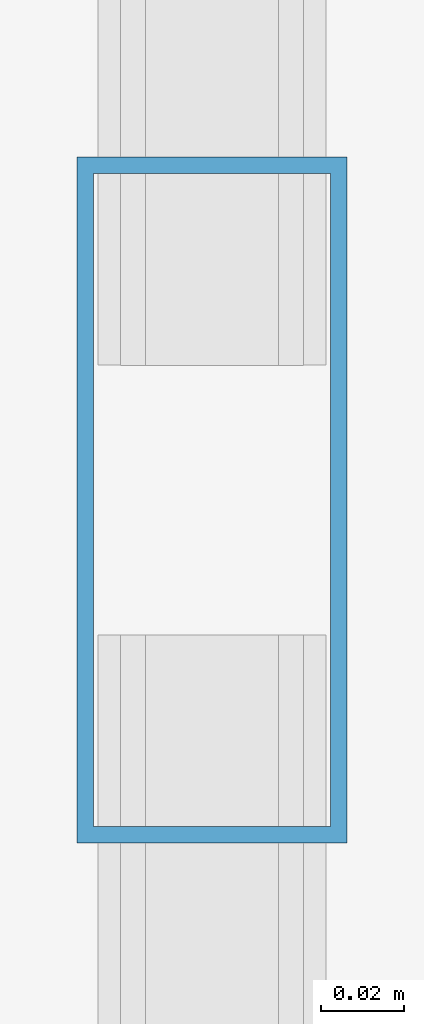
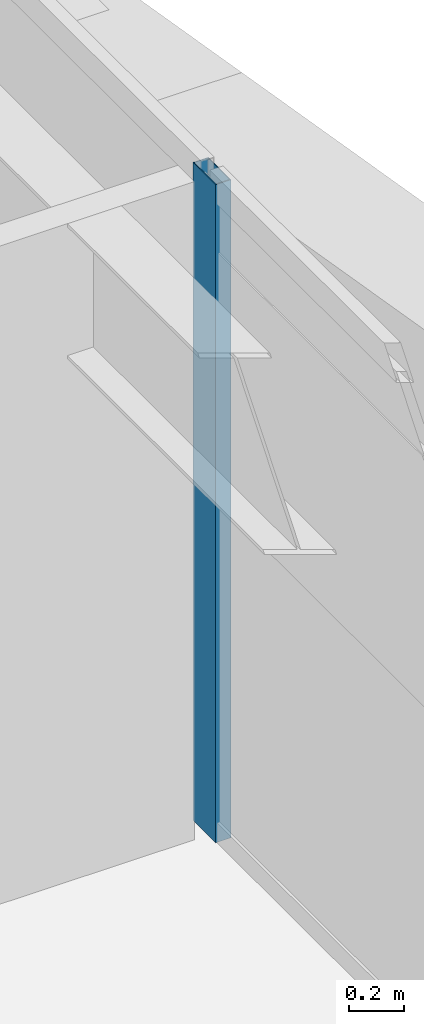
# One storey, part 19 of 44: 1 member, 1 element without a shape of its own.
"""IFC4 building model written with IfcOpenShell, lengths in metres."""

from ifc_helpers import new_model, si_unit, direction, frame, origin, origin_2d, place, context, subcontext, project, spatial, hollow_rectangle, extrude, source, transform, mapped, material, layer, layer_set, material_profile, profile_set, type_object, element, aggregate, save


model = new_model("IFC4")

# Units and contexts
model_context = context("Model", 3, precision=1e-05, world=origin(), true_north=direction((0.0, 1.0)))
body_context = subcontext(model_context, "Body", "Model", "MODEL_VIEW")
ifc_project = project(units=[si_unit("LENGTHUNIT", "METRE"), si_unit("AREAUNIT", "SQUARE_METRE"), si_unit("VOLUMEUNIT", "CUBIC_METRE"), si_unit("PLANEANGLEUNIT", "RADIAN"), si_unit("MASSUNIT", "GRAM", prefix="KILO")], contexts=[model_context])

# Site, building, storey
site_placement = place(None, origin())
site = spatial("IfcSite", under=ifc_project, at=site_placement, CompositionType="ELEMENT")
building_placement = place(site_placement, origin())
building = spatial("IfcBuilding", under=site, at=building_placement, Name="Taldren Reach Tower", CompositionType="ELEMENT")
storey_placement = place(building_placement, frame((0.0, 0.0, 42.0)))
storey = spatial("IfcBuildingStorey", under=building, at=storey_placement, Name="L12", CompositionType="ELEMENT", Elevation=42.0)

# Curtain wall, member
ifc_material_1 = material(Name="Aluminium and Low-E Glass Unitised System", Category="aluminium")
ifc_layer = layer(ifc_material_1, 0.159912109375)
ifc_layer_set = layer_set([ifc_layer], Name="Aluminium and Low-E Glass Unitised System")
curtain_wall_type = type_object("IfcCurtainWallType", Name="CW-SYS-2", PredefinedType="NOTDEFINED", material=ifc_layer_set)
curtain_wall_placement = place(storey_placement, origin())
curtain_wall = element("IfcCurtainWall", 1, at=curtain_wall_placement, inside=storey, type_object=curtain_wall_type, Name="Unitised curtain wall CW-L12-E", PredefinedType="NOTDEFINED")
ifc_material_2 = material(Name="Anodised Aluminium 6063-T6", Category="aluminium")
ifc_material_profile = material_profile(ifc_material_2, hollow_rectangle(XDim=0.06494140625, YDim=0.1650390625, WallThickness=0.00390625, at=origin_2d()), Name="ALU-165x65x4RHS")
ifc_profile_set = profile_set([ifc_material_profile], Name="Anodised Aluminium 6063-T6")
member_type = type_object("IfcMemberType", Name="CW-MUL-165", PredefinedType="MULLION", material=ifc_profile_set)
shared_shape = source(origin(), body_context, "Body", "SweptSolid", [
    extrude(hollow_rectangle(XDim=0.06494140625, YDim=0.1650390625, WallThickness=0.00390625, at=origin_2d()), origin(), (0.0, 0.0, 1.0), 2.929931640625),
])
member_placement = place(storey_placement, frame((64.860107421875, 25.166748046875, 0.0), z_axis=(0.0, 0.0, 1.0), x_axis=(-1.0, 0.0, 0.0)))
member = element("IfcMember", 2, at=member_placement, type_object=member_type, Name="CW-2 mullion 3", PredefinedType="MULLION", context=body_context, shape_type="MappedRepresentation", body=[
    mapped(shared_shape, transform((0.0, 0.0, 0.0), scale=1.0)),
])
aggregate(curtain_wall, [member])

save(model, "model.ifc")
